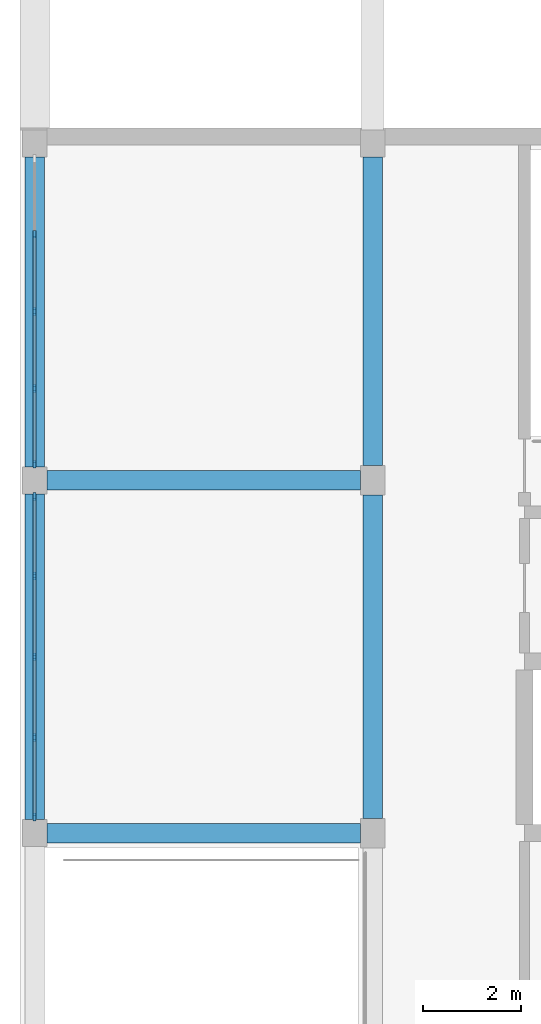
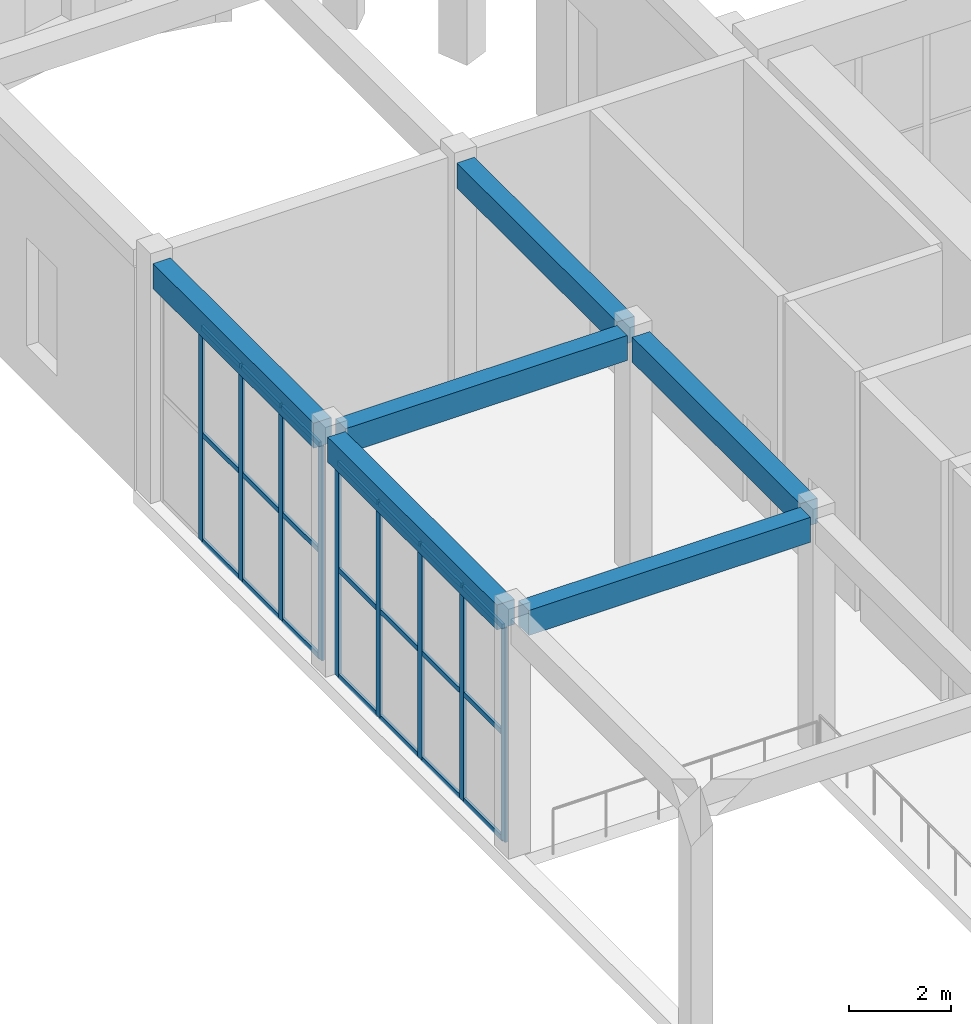
# One storey, part 5 of 44: 30 members, 6 beams, 2 elements without a shape of their own.
"""IFC4 building model written with IfcOpenShell, lengths in metres."""

from ifc_helpers import new_model, si_unit, direction, frame, origin, origin_2d, place, context, subcontext, project, spatial, rectangle, extrude, material, material_profile, profile_set, type_object, element, aggregate, save


model = new_model("IFC4")

# Units and contexts
model_context = context("Model", 3, precision=1e-05, world=origin(), true_north=direction((0.0, 1.0)))
body_context = subcontext(model_context, "Body", "Model", "MODEL_VIEW")
ifc_project = project(units=[si_unit("LENGTHUNIT", "METRE"), si_unit("AREAUNIT", "SQUARE_METRE"), si_unit("VOLUMEUNIT", "CUBIC_METRE"), si_unit("PLANEANGLEUNIT", "RADIAN"), si_unit("MASSUNIT", "GRAM", prefix="KILO")], contexts=[model_context])

# Site, building, storey
site_placement = place(None, origin())
site = spatial("IfcSite", under=ifc_project, at=site_placement, CompositionType="ELEMENT")
building_placement = place(site_placement, origin())
building = spatial("IfcBuilding", under=site, at=building_placement, Name="Vermilion Court Aquatics Centre", CompositionType="ELEMENT")
storey_placement = place(building_placement, frame((0.0, 0.0, 6.0)))
storey = spatial("IfcBuildingStorey", under=building, at=storey_placement, Name="L01", CompositionType="ELEMENT", Elevation=6.0)

# Curtain wall, members
ifc_material_1 = material(Name="Aluminium 6063-T5", Category="aluminium")
curtain_wall_type = type_object("IfcCurtainWallType", Name="Foyer curtain wall", PredefinedType="NOTDEFINED", material=ifc_material_1)
curtain_wall_1_placement = place(storey_placement, origin())
curtain_wall_1 = element("IfcCurtainWall", 1, at=curtain_wall_1_placement, inside=storey, type_object=curtain_wall_type, Name="Foyer curtain wall 8", PredefinedType="NOTDEFINED")
ifc_material_2 = material(Name="Aluminium 6063-T5", Category="aluminium")
ifc_material_profile_1 = material_profile(ifc_material_2, rectangle(XDim=0.06005859375, YDim=0.159912109375, at=origin_2d()), Name="Aluminium 60x160")
ifc_profile_set_1 = profile_set([ifc_material_profile_1], Name="Aluminium 6063-T5")
member_type_1 = type_object("IfcMemberType", Name="Foyer mullion 60x160", PredefinedType="MULLION", material=ifc_profile_set_1)
member_1_placement = place(storey_placement, frame((0.300048828125, 50.72998046875, 0.0), z_axis=(0.0, 0.0, 1.0), x_axis=(-1.0, 0.0, 0.0)))
member_1 = element("IfcMember", 2, at=member_1_placement, type_object=member_type_1, Name="FCW1 mullion 1", PredefinedType="MULLION", context=body_context, shape_type="SweptSolid", body=[
    extrude(rectangle(XDim=0.06005859375, YDim=0.159912109375, at=origin_2d()), origin(), (0.0, 0.0, 1.0), 5.14990234375),
])
member_2_placement = place(storey_placement, frame((0.300048828125, 52.35009765625, 0.0), z_axis=(0.0, 0.0, 1.0), x_axis=(-1.0, 0.0, 0.0)))
member_2 = element("IfcMember", 3, at=member_2_placement, type_object=member_type_1, Name="FCW1 mullion 2", PredefinedType="MULLION", context=body_context, shape_type="SweptSolid", body=[
    extrude(rectangle(XDim=0.06005859375, YDim=0.159912109375, at=origin_2d()), origin(), (0.0, 0.0, 1.0), 5.14990234375),
])
member_3_placement = place(storey_placement, frame((0.300048828125, 54.0, 0.0), z_axis=(0.0, 0.0, 1.0), x_axis=(-1.0, 0.0, 0.0)))
member_3 = element("IfcMember", 4, at=member_3_placement, type_object=member_type_1, Name="FCW1 mullion 3", PredefinedType="MULLION", context=body_context, shape_type="SweptSolid", body=[
    extrude(rectangle(XDim=0.06005859375, YDim=0.159912109375, at=origin_2d()), origin(), (0.0, 0.0, 1.0), 5.14990234375),
])
member_4_placement = place(storey_placement, frame((0.300048828125, 55.64990234375, 0.0), z_axis=(0.0, 0.0, 1.0), x_axis=(-1.0, 0.0, 0.0)))
member_4 = element("IfcMember", 5, at=member_4_placement, type_object=member_type_1, Name="FCW1 mullion 4", PredefinedType="MULLION", context=body_context, shape_type="SweptSolid", body=[
    extrude(rectangle(XDim=0.06005859375, YDim=0.159912109375, at=origin_2d()), origin(), (0.0, 0.0, 1.0), 5.14990234375),
])
member_5_placement = place(storey_placement, frame((0.300048828125, 57.27001953125, 0.0), z_axis=(0.0, 0.0, 1.0), x_axis=(-1.0, 0.0, 0.0)))
member_5 = element("IfcMember", 6, at=member_5_placement, type_object=member_type_1, Name="FCW1 mullion 5", PredefinedType="MULLION", context=body_context, shape_type="SweptSolid", body=[
    extrude(rectangle(XDim=0.06005859375, YDim=0.159912109375, at=origin_2d()), origin(), (0.0, 0.0, 1.0), 5.14990234375),
])

curtain_wall_2_placement = place(storey_placement, origin())
curtain_wall_2 = element("IfcCurtainWall", 7, at=curtain_wall_2_placement, inside=storey, type_object=curtain_wall_type, Name="Foyer curtain wall 9", PredefinedType="NOTDEFINED")
member_6_placement = place(storey_placement, frame((0.300048828125, 57.929931640625, 0.0), z_axis=(0.0, 0.0, 1.0), x_axis=(-1.0, 0.0, 0.0)))
member_6 = element("IfcMember", 8, at=member_6_placement, type_object=member_type_1, Name="FCW1 mullion 1", PredefinedType="MULLION", context=body_context, shape_type="SweptSolid", body=[
    extrude(rectangle(XDim=0.06005859375, YDim=0.159912109375, at=origin_2d()), origin(), (0.0, 0.0, 1.0), 5.14990234375),
])
member_7_placement = place(storey_placement, frame((0.300048828125, 59.47509765625, 0.0), z_axis=(0.0, 0.0, 1.0), x_axis=(-1.0, 0.0, 0.0)))
member_7 = element("IfcMember", 9, at=member_7_placement, type_object=member_type_1, Name="FCW1 mullion 2", PredefinedType="MULLION", context=body_context, shape_type="SweptSolid", body=[
    extrude(rectangle(XDim=0.06005859375, YDim=0.159912109375, at=origin_2d()), origin(), (0.0, 0.0, 1.0), 5.14990234375),
])
member_8_placement = place(storey_placement, frame((0.300048828125, 61.050048828125, 0.0), z_axis=(0.0, 0.0, 1.0), x_axis=(-1.0, 0.0, 0.0)))
member_8 = element("IfcMember", 10, at=member_8_placement, type_object=member_type_1, Name="FCW1 mullion 3", PredefinedType="MULLION", context=body_context, shape_type="SweptSolid", body=[
    extrude(rectangle(XDim=0.06005859375, YDim=0.159912109375, at=origin_2d()), origin(), (0.0, 0.0, 1.0), 5.14990234375),
])
member_9_placement = place(storey_placement, frame((0.300048828125, 62.625, 0.0), z_axis=(0.0, 0.0, 1.0), x_axis=(-1.0, 0.0, 0.0)))
member_9 = element("IfcMember", 11, at=member_9_placement, type_object=member_type_1, Name="FCW1 mullion 4", PredefinedType="MULLION", context=body_context, shape_type="SweptSolid", body=[
    extrude(rectangle(XDim=0.06005859375, YDim=0.159912109375, at=origin_2d()), origin(), (0.0, 0.0, 1.0), 5.14990234375),
])

# Beams
ifc_material_3 = material(Name="Concrete 5000 psi", Category="concrete")
ifc_material_profile_2 = material_profile(ifc_material_3, rectangle(XDim=0.39990234375, YDim=0.60009765625, at=origin_2d()), Name="RC 400x600")
ifc_profile_set_2 = profile_set([ifc_material_profile_2], Name="Concrete 5000 psi")
beam_type = type_object("IfcBeamType", Name="Foyer roof beam RC 400x600", PredefinedType="BEAM", material=ifc_profile_set_2)
beam_1_placement = place(storey_placement, frame((0.300048828125, 50.675048828125, 5.449951171875), z_axis=(0.0, 1.0, 0.0), x_axis=(-1.0, 0.0, 0.0)))
element("IfcBeam", 12, at=beam_1_placement, inside=storey, type_object=beam_type, Name="Foyer roof beam", PredefinedType="BEAM", context=body_context, shape_type="SweptSolid", body=[
    extrude(rectangle(XDim=0.39990234375, YDim=0.60009765625, at=origin_2d()), origin(), (0.0, 0.0, 1.0), 6.64990234375),
])
beam_2_placement = place(storey_placement, frame((0.300048828125, 57.875, 5.449951171875), z_axis=(0.0, 1.0, 0.0), x_axis=(-1.0, 0.0, 0.0)))
element("IfcBeam", 13, at=beam_2_placement, inside=storey, type_object=beam_type, Name="Foyer roof beam", PredefinedType="BEAM", context=body_context, shape_type="SweptSolid", body=[
    extrude(rectangle(XDim=0.39990234375, YDim=0.60009765625, at=origin_2d()), origin(), (0.0, 0.0, 1.0), 6.324951171875),
])
beam_3_placement = place(storey_placement, frame((7.199951171875, 50.699951171875, 5.449951171875), z_axis=(0.0, 1.0, 0.0), x_axis=(-1.0, 0.0, 0.0)))
element("IfcBeam", 14, at=beam_3_placement, inside=storey, type_object=beam_type, Name="Foyer roof beam", PredefinedType="BEAM", context=body_context, shape_type="SweptSolid", body=[
    extrude(rectangle(XDim=0.39990234375, YDim=0.60009765625, at=origin_2d()), origin(), (0.0, 0.0, 1.0), 6.60009765625),
])
beam_4_placement = place(storey_placement, frame((7.199951171875, 57.89990234375, 5.449951171875), z_axis=(0.0, 1.0, 0.0), x_axis=(-1.0, 0.0, 0.0)))
element("IfcBeam", 15, at=beam_4_placement, inside=storey, type_object=beam_type, Name="Foyer roof beam", PredefinedType="BEAM", context=body_context, shape_type="SweptSolid", body=[
    extrude(rectangle(XDim=0.39990234375, YDim=0.60009765625, at=origin_2d()), origin(), (0.0, 0.0, 1.0), 6.300048828125),
])
for number, where, z_axis, x_axis, name in (
    (16, (0.550048828125, 50.39990234375, 5.449951171875), (1.0, 0.0, 0.0), (0.0, 1.0, 0.0), "Foyer roof beam"),
    (17, (0.550048828125, 57.60009765625, 5.449951171875), (1.0, 0.0, 0.0), (0.0, 1.0, 0.0), "Foyer roof beam"),
):
    element("IfcBeam", number, at=place(storey_placement, frame(where, z_axis=z_axis, x_axis=x_axis)), inside=storey, type_object=beam_type, Name=name, PredefinedType="BEAM", context=body_context, shape_type="SweptSolid", body=[
        extrude(rectangle(XDim=0.39990234375, YDim=0.60009765625, at=origin_2d()), origin(), (0.0, 0.0, 1.0), 6.39990234375),
    ])

# Member
ifc_material_4 = material(Name="Aluminium 6063-T5", Category="aluminium")
ifc_material_profile_3 = material_profile(ifc_material_4, rectangle(XDim=0.06005859375, YDim=0.1201171875, at=origin_2d()), Name="Aluminium 60x120")
ifc_profile_set_3 = profile_set([ifc_material_profile_3], Name="Aluminium 6063-T5")
member_type_2 = type_object("IfcMemberType", Name="Foyer transom 60x120", PredefinedType="USERDEFINED", material=ifc_profile_set_3)
member_10_placement = place(storey_placement, frame((0.300048828125, 50.760009765625, 0.030029296875), z_axis=(0.0, 1.0, 0.0), x_axis=(-1.0, 0.0, 0.0)))
member_10 = element("IfcMember", 18, at=member_10_placement, type_object=member_type_2, Name="FCW1 transom 1.1", ObjectType="TRANSOM", PredefinedType="USERDEFINED", context=body_context, shape_type="SweptSolid", body=[
    extrude(rectangle(XDim=0.06005859375, YDim=0.1201171875, at=origin_2d()), origin(), (0.0, 0.0, 1.0), 1.56005859375),
])

member_11_placement = place(storey_placement, frame((0.300048828125, 50.760009765625, 2.574951171875), z_axis=(0.0, 1.0, 0.0), x_axis=(-1.0, 0.0, 0.0)))
member_11 = element("IfcMember", 19, at=member_11_placement, type_object=member_type_2, Name="FCW1 transom 1.2", ObjectType="TRANSOM", PredefinedType="USERDEFINED", context=body_context, shape_type="SweptSolid", body=[
    extrude(rectangle(XDim=0.06005859375, YDim=0.1201171875, at=origin_2d()), origin(), (0.0, 0.0, 1.0), 1.56005859375),
])

member_12_placement = place(storey_placement, frame((0.300048828125, 50.760009765625, 5.1201171875), z_axis=(0.0, 1.0, 0.0), x_axis=(-1.0, 0.0, 0.0)))
member_12 = element("IfcMember", 20, at=member_12_placement, type_object=member_type_2, Name="FCW1 transom 1.3", ObjectType="TRANSOM", PredefinedType="USERDEFINED", context=body_context, shape_type="SweptSolid", body=[
    extrude(rectangle(XDim=0.06005859375, YDim=0.1201171875, at=origin_2d()), origin(), (0.0, 0.0, 1.0), 1.56005859375),
])

member_13_placement = place(storey_placement, frame((0.300048828125, 52.3798828125, 0.030029296875), z_axis=(0.0, 1.0, 0.0), x_axis=(-1.0, 0.0, 0.0)))
member_13 = element("IfcMember", 21, at=member_13_placement, type_object=member_type_2, Name="FCW1 transom 2.1", ObjectType="TRANSOM", PredefinedType="USERDEFINED", context=body_context, shape_type="SweptSolid", body=[
    extrude(rectangle(XDim=0.06005859375, YDim=0.1201171875, at=origin_2d()), origin(), (0.0, 0.0, 1.0), 1.590087890625),
])

member_14_placement = place(storey_placement, frame((0.300048828125, 52.3798828125, 2.574951171875), z_axis=(0.0, 1.0, 0.0), x_axis=(-1.0, 0.0, 0.0)))
member_14 = element("IfcMember", 22, at=member_14_placement, type_object=member_type_2, Name="FCW1 transom 2.2", ObjectType="TRANSOM", PredefinedType="USERDEFINED", context=body_context, shape_type="SweptSolid", body=[
    extrude(rectangle(XDim=0.06005859375, YDim=0.1201171875, at=origin_2d()), origin(), (0.0, 0.0, 1.0), 1.590087890625),
])

member_15_placement = place(storey_placement, frame((0.300048828125, 52.3798828125, 5.1201171875), z_axis=(0.0, 1.0, 0.0), x_axis=(-1.0, 0.0, 0.0)))
member_15 = element("IfcMember", 23, at=member_15_placement, type_object=member_type_2, Name="FCW1 transom 2.3", ObjectType="TRANSOM", PredefinedType="USERDEFINED", context=body_context, shape_type="SweptSolid", body=[
    extrude(rectangle(XDim=0.06005859375, YDim=0.1201171875, at=origin_2d()), origin(), (0.0, 0.0, 1.0), 1.590087890625),
])

member_16_placement = place(storey_placement, frame((0.300048828125, 54.030029296875, 0.030029296875), z_axis=(0.0, 1.0, 0.0), x_axis=(-1.0, 0.0, 0.0)))
member_16 = element("IfcMember", 24, at=member_16_placement, type_object=member_type_2, Name="FCW1 transom 3.1", ObjectType="TRANSOM", PredefinedType="USERDEFINED", context=body_context, shape_type="SweptSolid", body=[
    extrude(rectangle(XDim=0.06005859375, YDim=0.1201171875, at=origin_2d()), origin(), (0.0, 0.0, 1.0), 1.590087890625),
])

member_17_placement = place(storey_placement, frame((0.300048828125, 54.030029296875, 2.574951171875), z_axis=(0.0, 1.0, 0.0), x_axis=(-1.0, 0.0, 0.0)))
member_17 = element("IfcMember", 25, at=member_17_placement, type_object=member_type_2, Name="FCW1 transom 3.2", ObjectType="TRANSOM", PredefinedType="USERDEFINED", context=body_context, shape_type="SweptSolid", body=[
    extrude(rectangle(XDim=0.06005859375, YDim=0.1201171875, at=origin_2d()), origin(), (0.0, 0.0, 1.0), 1.590087890625),
])

member_18_placement = place(storey_placement, frame((0.300048828125, 54.030029296875, 5.1201171875), z_axis=(0.0, 1.0, 0.0), x_axis=(-1.0, 0.0, 0.0)))
member_18 = element("IfcMember", 26, at=member_18_placement, type_object=member_type_2, Name="FCW1 transom 3.3", ObjectType="TRANSOM", PredefinedType="USERDEFINED", context=body_context, shape_type="SweptSolid", body=[
    extrude(rectangle(XDim=0.06005859375, YDim=0.1201171875, at=origin_2d()), origin(), (0.0, 0.0, 1.0), 1.590087890625),
])

member_19_placement = place(storey_placement, frame((0.300048828125, 55.679931640625, 0.030029296875), z_axis=(0.0, 1.0, 0.0), x_axis=(-1.0, 0.0, 0.0)))
member_19 = element("IfcMember", 27, at=member_19_placement, type_object=member_type_2, Name="FCW1 transom 4.1", ObjectType="TRANSOM", PredefinedType="USERDEFINED", context=body_context, shape_type="SweptSolid", body=[
    extrude(rectangle(XDim=0.06005859375, YDim=0.1201171875, at=origin_2d()), origin(), (0.0, 0.0, 1.0), 1.56005859375),
])

member_20_placement = place(storey_placement, frame((0.300048828125, 55.679931640625, 2.574951171875), z_axis=(0.0, 1.0, 0.0), x_axis=(-1.0, 0.0, 0.0)))
member_20 = element("IfcMember", 28, at=member_20_placement, type_object=member_type_2, Name="FCW1 transom 4.2", ObjectType="TRANSOM", PredefinedType="USERDEFINED", context=body_context, shape_type="SweptSolid", body=[
    extrude(rectangle(XDim=0.06005859375, YDim=0.1201171875, at=origin_2d()), origin(), (0.0, 0.0, 1.0), 1.56005859375),
])

member_21_placement = place(storey_placement, frame((0.300048828125, 55.679931640625, 5.1201171875), z_axis=(0.0, 1.0, 0.0), x_axis=(-1.0, 0.0, 0.0)))
member_21 = element("IfcMember", 29, at=member_21_placement, type_object=member_type_2, Name="FCW1 transom 4.3", ObjectType="TRANSOM", PredefinedType="USERDEFINED", context=body_context, shape_type="SweptSolid", body=[
    extrude(rectangle(XDim=0.06005859375, YDim=0.1201171875, at=origin_2d()), origin(), (0.0, 0.0, 1.0), 1.56005859375),
])

aggregate(curtain_wall_1, [member_1, member_2, member_3, member_4, member_5, member_10, member_11, member_12, member_13, member_14, member_15, member_16, member_17, member_18, member_19, member_20, member_21])

member_22_placement = place(storey_placement, frame((0.300048828125, 57.9599609375, 0.030029296875), z_axis=(0.0, 1.0, 0.0), x_axis=(-1.0, 0.0, 0.0)))
member_22 = element("IfcMember", 30, at=member_22_placement, type_object=member_type_2, Name="FCW1 transom 1.1", ObjectType="TRANSOM", PredefinedType="USERDEFINED", context=body_context, shape_type="SweptSolid", body=[
    extrude(rectangle(XDim=0.06005859375, YDim=0.1201171875, at=origin_2d()), origin(), (0.0, 0.0, 1.0), 1.485107421875),
])

member_23_placement = place(storey_placement, frame((0.300048828125, 57.9599609375, 2.574951171875), z_axis=(0.0, 1.0, 0.0), x_axis=(-1.0, 0.0, 0.0)))
member_23 = element("IfcMember", 31, at=member_23_placement, type_object=member_type_2, Name="FCW1 transom 1.2", ObjectType="TRANSOM", PredefinedType="USERDEFINED", context=body_context, shape_type="SweptSolid", body=[
    extrude(rectangle(XDim=0.06005859375, YDim=0.1201171875, at=origin_2d()), origin(), (0.0, 0.0, 1.0), 1.485107421875),
])

member_24_placement = place(storey_placement, frame((0.300048828125, 57.9599609375, 5.1201171875), z_axis=(0.0, 1.0, 0.0), x_axis=(-1.0, 0.0, 0.0)))
member_24 = element("IfcMember", 32, at=member_24_placement, type_object=member_type_2, Name="FCW1 transom 1.3", ObjectType="TRANSOM", PredefinedType="USERDEFINED", context=body_context, shape_type="SweptSolid", body=[
    extrude(rectangle(XDim=0.06005859375, YDim=0.1201171875, at=origin_2d()), origin(), (0.0, 0.0, 1.0), 1.485107421875),
])

member_25_placement = place(storey_placement, frame((0.300048828125, 59.5048828125, 0.030029296875), z_axis=(0.0, 1.0, 0.0), x_axis=(-1.0, 0.0, 0.0)))
member_25 = element("IfcMember", 33, at=member_25_placement, type_object=member_type_2, Name="FCW1 transom 2.1", ObjectType="TRANSOM", PredefinedType="USERDEFINED", context=body_context, shape_type="SweptSolid", body=[
    extrude(rectangle(XDim=0.06005859375, YDim=0.1201171875, at=origin_2d()), origin(), (0.0, 0.0, 1.0), 1.51513671875),
])

member_26_placement = place(storey_placement, frame((0.300048828125, 59.5048828125, 2.574951171875), z_axis=(0.0, 1.0, 0.0), x_axis=(-1.0, 0.0, 0.0)))
member_26 = element("IfcMember", 34, at=member_26_placement, type_object=member_type_2, Name="FCW1 transom 2.2", ObjectType="TRANSOM", PredefinedType="USERDEFINED", context=body_context, shape_type="SweptSolid", body=[
    extrude(rectangle(XDim=0.06005859375, YDim=0.1201171875, at=origin_2d()), origin(), (0.0, 0.0, 1.0), 1.51513671875),
])

member_27_placement = place(storey_placement, frame((0.300048828125, 59.5048828125, 5.1201171875), z_axis=(0.0, 1.0, 0.0), x_axis=(-1.0, 0.0, 0.0)))
member_27 = element("IfcMember", 35, at=member_27_placement, type_object=member_type_2, Name="FCW1 transom 2.3", ObjectType="TRANSOM", PredefinedType="USERDEFINED", context=body_context, shape_type="SweptSolid", body=[
    extrude(rectangle(XDim=0.06005859375, YDim=0.1201171875, at=origin_2d()), origin(), (0.0, 0.0, 1.0), 1.51513671875),
])

member_28_placement = place(storey_placement, frame((0.300048828125, 61.080078125, 0.030029296875), z_axis=(0.0, 1.0, 0.0), x_axis=(-1.0, 0.0, 0.0)))
member_28 = element("IfcMember", 36, at=member_28_placement, type_object=member_type_2, Name="FCW1 transom 3.1", ObjectType="TRANSOM", PredefinedType="USERDEFINED", context=body_context, shape_type="SweptSolid", body=[
    extrude(rectangle(XDim=0.06005859375, YDim=0.1201171875, at=origin_2d()), origin(), (0.0, 0.0, 1.0), 1.514892578125),
])

member_29_placement = place(storey_placement, frame((0.300048828125, 61.080078125, 2.574951171875), z_axis=(0.0, 1.0, 0.0), x_axis=(-1.0, 0.0, 0.0)))
member_29 = element("IfcMember", 37, at=member_29_placement, type_object=member_type_2, Name="FCW1 transom 3.2", ObjectType="TRANSOM", PredefinedType="USERDEFINED", context=body_context, shape_type="SweptSolid", body=[
    extrude(rectangle(XDim=0.06005859375, YDim=0.1201171875, at=origin_2d()), origin(), (0.0, 0.0, 1.0), 1.514892578125),
])

member_30_placement = place(storey_placement, frame((0.300048828125, 61.080078125, 5.1201171875), z_axis=(0.0, 1.0, 0.0), x_axis=(-1.0, 0.0, 0.0)))
member_30 = element("IfcMember", 38, at=member_30_placement, type_object=member_type_2, Name="FCW1 transom 3.3", ObjectType="TRANSOM", PredefinedType="USERDEFINED", context=body_context, shape_type="SweptSolid", body=[
    extrude(rectangle(XDim=0.06005859375, YDim=0.1201171875, at=origin_2d()), origin(), (0.0, 0.0, 1.0), 1.514892578125),
])

aggregate(curtain_wall_2, [member_6, member_7, member_8, member_9, member_22, member_23, member_24, member_25, member_26, member_27, member_28, member_29, member_30])

save(model, "model.ifc")
